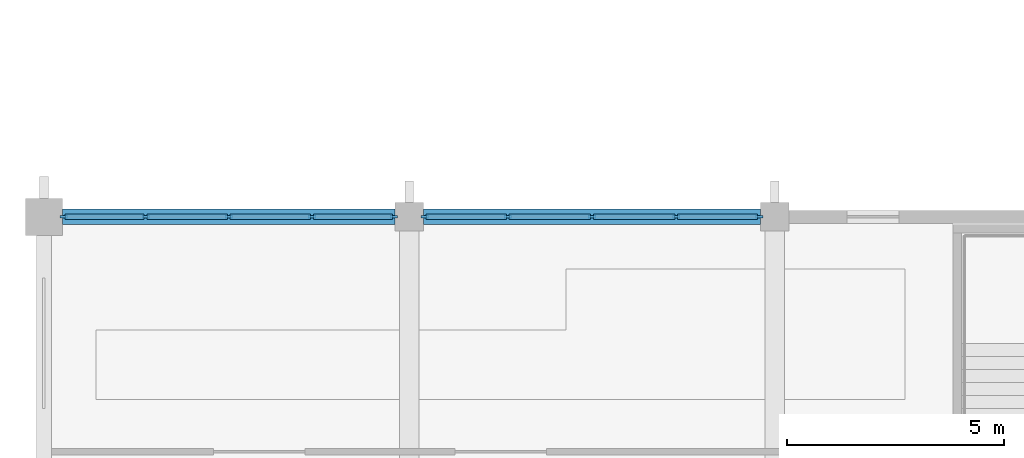
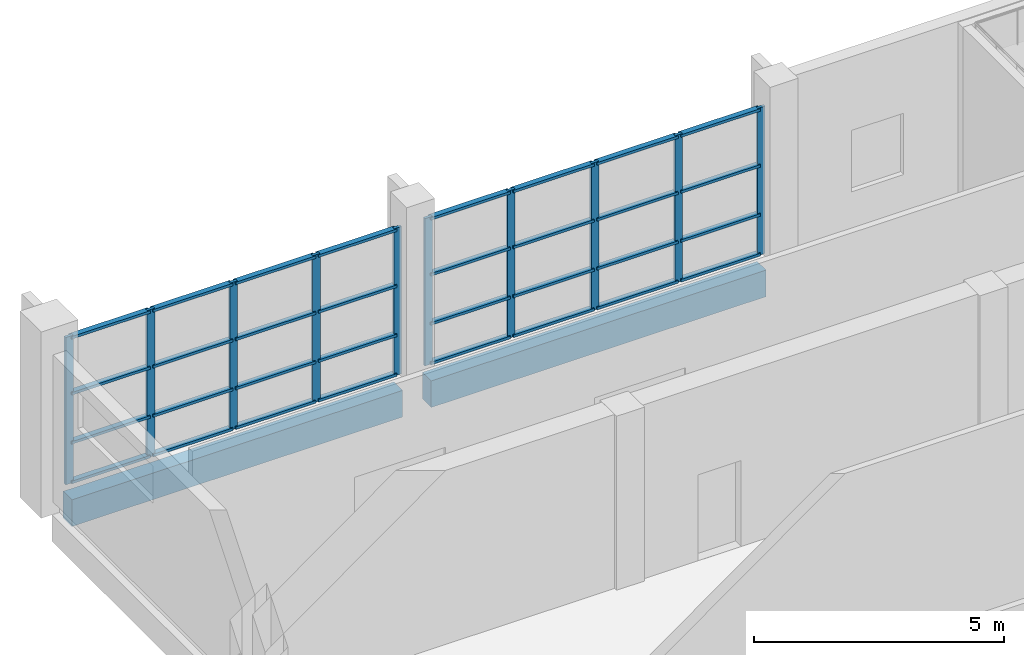
# One storey, part 2 of 64: 42 members, 2 beams, 2 elements without a shape of their own.
"""IFC4 building model written with IfcOpenShell, lengths in metres."""

from ifc_helpers import new_model, si_unit, direction, frame, origin, origin_2d, place, context, subcontext, project, spatial, rectangle, extrude, material, layer, layer_set, material_profile, profile_set, type_object, element, aggregate, save


model = new_model("IFC4")

# Units and contexts
model_context = context("Model", 3, precision=1e-05, world=origin(), true_north=direction((0.0, 1.0)))
body_context = subcontext(model_context, "Body", "Model", "MODEL_VIEW")
ifc_project = project(units=[si_unit("LENGTHUNIT", "METRE"), si_unit("AREAUNIT", "SQUARE_METRE"), si_unit("VOLUMEUNIT", "CUBIC_METRE"), si_unit("PLANEANGLEUNIT", "RADIAN"), si_unit("MASSUNIT", "GRAM", prefix="KILO")], contexts=[model_context])

# Site, building, storey
site_placement = place(None, origin())
site = spatial("IfcSite", under=ifc_project, at=site_placement, CompositionType="ELEMENT")
building_placement = place(site_placement, origin())
building = spatial("IfcBuilding", under=site, at=building_placement, Name="Rulbaag Community and Learning Centre", CompositionType="ELEMENT")
storey_placement = place(building_placement, frame((0.0, 0.0, 5.39990234375)))
storey = spatial("IfcBuildingStorey", under=building, at=storey_placement, Name="L01", CompositionType="ELEMENT", Elevation=5.39990234375)

# Beams
ifc_material_1 = material(Name="Concrete M40", Category="concrete")
ifc_material_profile_1 = material_profile(ifc_material_1, rectangle(XDim=0.35009765625, YDim=0.64990234375, at=origin_2d()), Name="RB350x650")
ifc_profile_set_1 = profile_set([ifc_material_profile_1], Name="Concrete M40")
beam_type = type_object("IfcBeamType", Name="B8 Hall wing edge beam 350x650 Concrete M40", PredefinedType="BEAM", material=ifc_profile_set_1)
beam_1_placement = place(storey_placement, frame((0.429931640625, 50.39990234375, -0.625), z_axis=(1.0, 0.0, 0.0), x_axis=(0.0, 1.0, 0.0)))
element("IfcBeam", 1, at=beam_1_placement, inside=storey, type_object=beam_type, Name="BM-L01-1G-2G", PredefinedType="BEAM", context=body_context, shape_type="SweptSolid", body=[
    extrude(rectangle(XDim=0.35009765625, YDim=0.64990234375, at=origin_2d()), origin(), (0.0, 0.0, 1.0), 7.64013671875),
])
beam_2_placement = place(storey_placement, frame((8.72998046875, 50.39990234375, -0.625), z_axis=(1.0, 0.0, 0.0), x_axis=(0.0, 1.0, 0.0)))
element("IfcBeam", 2, at=beam_2_placement, inside=storey, type_object=beam_type, Name="BM-L01-2G-3G", PredefinedType="BEAM", context=body_context, shape_type="SweptSolid", body=[
    extrude(rectangle(XDim=0.35009765625, YDim=0.64990234375, at=origin_2d()), origin(), (0.0, 0.0, 1.0), 7.739990234375),
])

# Curtain wall, members
ifc_material_2 = material(Name="Aluminium", Category="aluminium")
ifc_layer = layer(ifc_material_2, 0.14990234375)
ifc_layer_set = layer_set([ifc_layer], Name="CW-L")
curtain_wall_type = type_object("IfcCurtainWallType", Name="CW-L", PredefinedType="USERDEFINED", material=ifc_layer_set)
curtain_wall_1_placement = place(storey_placement, origin())
curtain_wall_1 = element("IfcCurtainWall", 3, at=curtain_wall_1_placement, inside=storey, type_object=curtain_wall_type, Name="GL-L01-01", ObjectType="STICK CURTAIN WALL", PredefinedType="USERDEFINED")
ifc_material_3 = material(Name="Aluminium mullion", Category="aluminium")
ifc_material_profile_2 = material_profile(ifc_material_3, rectangle(XDim=0.06494140625, YDim=0.175048828125, at=origin_2d()), Name="AL 65x175")
ifc_profile_set_2 = profile_set([ifc_material_profile_2], Name="Aluminium mullion")
member_type_1 = type_object("IfcMemberType", Name="CW-L-MUL", PredefinedType="MULLION", material=ifc_profile_set_2)
member_1_placement = place(storey_placement, frame((0.45751953125, 50.39990234375, 0.0), z_axis=(0.0, 0.0, 1.0), x_axis=(0.0, 1.0, 0.0)))
member_1 = element("IfcMember", 4, at=member_1_placement, type_object=member_type_1, Name="GL mullion 1", PredefinedType="MULLION", context=body_context, shape_type="SweptSolid", body=[
    extrude(rectangle(XDim=0.06494140625, YDim=0.175048828125, at=origin_2d()), origin(), (0.0, 0.0, 1.0), 3.60009765625),
])
member_2_placement = place(storey_placement, frame((2.33740234375, 50.39990234375, 0.0), z_axis=(0.0, 0.0, 1.0), x_axis=(0.0, 1.0, 0.0)))
member_2 = element("IfcMember", 5, at=member_2_placement, type_object=member_type_1, Name="GL mullion 2", PredefinedType="MULLION", context=body_context, shape_type="SweptSolid", body=[
    extrude(rectangle(XDim=0.06494140625, YDim=0.175048828125, at=origin_2d()), origin(), (0.0, 0.0, 1.0), 3.60009765625),
])
member_3_placement = place(storey_placement, frame((4.25, 50.39990234375, 0.0), z_axis=(0.0, 0.0, 1.0), x_axis=(0.0, 1.0, 0.0)))
member_3 = element("IfcMember", 6, at=member_3_placement, type_object=member_type_1, Name="GL mullion 3", PredefinedType="MULLION", context=body_context, shape_type="SweptSolid", body=[
    extrude(rectangle(XDim=0.06494140625, YDim=0.175048828125, at=origin_2d()), origin(), (0.0, 0.0, 1.0), 3.60009765625),
])
member_4_placement = place(storey_placement, frame((6.16259765625, 50.39990234375, 0.0), z_axis=(0.0, 0.0, 1.0), x_axis=(0.0, 1.0, 0.0)))
member_4 = element("IfcMember", 7, at=member_4_placement, type_object=member_type_1, Name="GL mullion 4", PredefinedType="MULLION", context=body_context, shape_type="SweptSolid", body=[
    extrude(rectangle(XDim=0.06494140625, YDim=0.175048828125, at=origin_2d()), origin(), (0.0, 0.0, 1.0), 3.60009765625),
])
member_5_placement = place(storey_placement, frame((8.04248046875, 50.39990234375, 0.0), z_axis=(0.0, 0.0, 1.0), x_axis=(0.0, 1.0, 0.0)))
member_5 = element("IfcMember", 8, at=member_5_placement, type_object=member_type_1, Name="GL mullion 5", PredefinedType="MULLION", context=body_context, shape_type="SweptSolid", body=[
    extrude(rectangle(XDim=0.06494140625, YDim=0.175048828125, at=origin_2d()), origin(), (0.0, 0.0, 1.0), 3.60009765625),
])

curtain_wall_2_placement = place(storey_placement, origin())
curtain_wall_2 = element("IfcCurtainWall", 9, at=curtain_wall_2_placement, inside=storey, type_object=curtain_wall_type, Name="GL-L01-02", ObjectType="STICK CURTAIN WALL", PredefinedType="USERDEFINED")
member_6_placement = place(storey_placement, frame((8.757568359375, 50.39990234375, 0.0), z_axis=(0.0, 0.0, 1.0), x_axis=(0.0, 1.0, 0.0)))
member_6 = element("IfcMember", 10, at=member_6_placement, type_object=member_type_1, Name="GL mullion 1", PredefinedType="MULLION", context=body_context, shape_type="SweptSolid", body=[
    extrude(rectangle(XDim=0.06494140625, YDim=0.175048828125, at=origin_2d()), origin(), (0.0, 0.0, 1.0), 3.60009765625),
])
member_7_placement = place(storey_placement, frame((10.66259765625, 50.39990234375, 0.0), z_axis=(0.0, 0.0, 1.0), x_axis=(0.0, 1.0, 0.0)))
member_7 = element("IfcMember", 11, at=member_7_placement, type_object=member_type_1, Name="GL mullion 2", PredefinedType="MULLION", context=body_context, shape_type="SweptSolid", body=[
    extrude(rectangle(XDim=0.06494140625, YDim=0.175048828125, at=origin_2d()), origin(), (0.0, 0.0, 1.0), 3.60009765625),
])
member_8_placement = place(storey_placement, frame((12.60009765625, 50.39990234375, 0.0), z_axis=(0.0, 0.0, 1.0), x_axis=(0.0, 1.0, 0.0)))
member_8 = element("IfcMember", 12, at=member_8_placement, type_object=member_type_1, Name="GL mullion 3", PredefinedType="MULLION", context=body_context, shape_type="SweptSolid", body=[
    extrude(rectangle(XDim=0.06494140625, YDim=0.175048828125, at=origin_2d()), origin(), (0.0, 0.0, 1.0), 3.60009765625),
])
member_9_placement = place(storey_placement, frame((14.53759765625, 50.39990234375, 0.0), z_axis=(0.0, 0.0, 1.0), x_axis=(0.0, 1.0, 0.0)))
member_9 = element("IfcMember", 13, at=member_9_placement, type_object=member_type_1, Name="GL mullion 4", PredefinedType="MULLION", context=body_context, shape_type="SweptSolid", body=[
    extrude(rectangle(XDim=0.06494140625, YDim=0.175048828125, at=origin_2d()), origin(), (0.0, 0.0, 1.0), 3.60009765625),
])
member_10_placement = place(storey_placement, frame((16.4423828125, 50.39990234375, 0.0), z_axis=(0.0, 0.0, 1.0), x_axis=(0.0, 1.0, 0.0)))
member_10 = element("IfcMember", 14, at=member_10_placement, type_object=member_type_1, Name="GL mullion 5", PredefinedType="MULLION", context=body_context, shape_type="SweptSolid", body=[
    extrude(rectangle(XDim=0.06494140625, YDim=0.175048828125, at=origin_2d()), origin(), (0.0, 0.0, 1.0), 3.60009765625),
])

# Member
ifc_material_4 = material(Name="Aluminium transom", Category="aluminium")
ifc_material_profile_3 = material_profile(ifc_material_4, rectangle(XDim=0.125, YDim=0.06494140625, at=origin_2d()), Name="AL 65x125 T")
ifc_profile_set_3 = profile_set([ifc_material_profile_3], Name="Aluminium transom")
member_type_2 = type_object("IfcMemberType", Name="CW-L-TRN", PredefinedType="USERDEFINED", material=ifc_profile_set_3)
member_11_placement = place(storey_placement, frame((0.489990234375, 50.39990234375, 0.03271484375), z_axis=(1.0, 0.0, 0.0), x_axis=(0.0, 1.0, 0.0)))
member_11 = element("IfcMember", 15, at=member_11_placement, type_object=member_type_2, Name="GL transom 1.1", ObjectType="TRANSOM", PredefinedType="USERDEFINED", context=body_context, shape_type="SweptSolid", body=[
    extrude(rectangle(XDim=0.125, YDim=0.06494140625, at=origin_2d()), origin(), (0.0, 0.0, 1.0), 1.81494140625),
])

member_12_placement = place(storey_placement, frame((0.489990234375, 50.39990234375, 1.0), z_axis=(1.0, 0.0, 0.0), x_axis=(0.0, 1.0, 0.0)))
member_12 = element("IfcMember", 16, at=member_12_placement, type_object=member_type_2, Name="GL transom 1.2", ObjectType="TRANSOM", PredefinedType="USERDEFINED", context=body_context, shape_type="SweptSolid", body=[
    extrude(rectangle(XDim=0.125, YDim=0.06494140625, at=origin_2d()), origin(), (0.0, 0.0, 1.0), 1.81494140625),
])

member_13_placement = place(storey_placement, frame((0.489990234375, 50.39990234375, 2.2001953125), z_axis=(1.0, 0.0, 0.0), x_axis=(0.0, 1.0, 0.0)))
member_13 = element("IfcMember", 17, at=member_13_placement, type_object=member_type_2, Name="GL transom 1.3", ObjectType="TRANSOM", PredefinedType="USERDEFINED", context=body_context, shape_type="SweptSolid", body=[
    extrude(rectangle(XDim=0.125, YDim=0.06494140625, at=origin_2d()), origin(), (0.0, 0.0, 1.0), 1.81494140625),
])

member_14_placement = place(storey_placement, frame((0.489990234375, 50.39990234375, 3.567626953125), z_axis=(1.0, 0.0, 0.0), x_axis=(0.0, 1.0, 0.0)))
member_14 = element("IfcMember", 18, at=member_14_placement, type_object=member_type_2, Name="GL transom 1.4", ObjectType="TRANSOM", PredefinedType="USERDEFINED", context=body_context, shape_type="SweptSolid", body=[
    extrude(rectangle(XDim=0.125, YDim=0.06494140625, at=origin_2d()), origin(), (0.0, 0.0, 1.0), 1.81494140625),
])

member_15_placement = place(storey_placement, frame((2.3701171875, 50.39990234375, 0.03271484375), z_axis=(1.0, 0.0, 0.0), x_axis=(0.0, 1.0, 0.0)))
member_15 = element("IfcMember", 19, at=member_15_placement, type_object=member_type_2, Name="GL transom 2.1", ObjectType="TRANSOM", PredefinedType="USERDEFINED", context=body_context, shape_type="SweptSolid", body=[
    extrude(rectangle(XDim=0.125, YDim=0.06494140625, at=origin_2d()), origin(), (0.0, 0.0, 1.0), 1.847412109375),
])

member_16_placement = place(storey_placement, frame((2.3701171875, 50.39990234375, 1.0), z_axis=(1.0, 0.0, 0.0), x_axis=(0.0, 1.0, 0.0)))
member_16 = element("IfcMember", 20, at=member_16_placement, type_object=member_type_2, Name="GL transom 2.2", ObjectType="TRANSOM", PredefinedType="USERDEFINED", context=body_context, shape_type="SweptSolid", body=[
    extrude(rectangle(XDim=0.125, YDim=0.06494140625, at=origin_2d()), origin(), (0.0, 0.0, 1.0), 1.847412109375),
])

member_17_placement = place(storey_placement, frame((2.3701171875, 50.39990234375, 2.2001953125), z_axis=(1.0, 0.0, 0.0), x_axis=(0.0, 1.0, 0.0)))
member_17 = element("IfcMember", 21, at=member_17_placement, type_object=member_type_2, Name="GL transom 2.3", ObjectType="TRANSOM", PredefinedType="USERDEFINED", context=body_context, shape_type="SweptSolid", body=[
    extrude(rectangle(XDim=0.125, YDim=0.06494140625, at=origin_2d()), origin(), (0.0, 0.0, 1.0), 1.847412109375),
])

member_18_placement = place(storey_placement, frame((2.3701171875, 50.39990234375, 3.567626953125), z_axis=(1.0, 0.0, 0.0), x_axis=(0.0, 1.0, 0.0)))
member_18 = element("IfcMember", 22, at=member_18_placement, type_object=member_type_2, Name="GL transom 2.4", ObjectType="TRANSOM", PredefinedType="USERDEFINED", context=body_context, shape_type="SweptSolid", body=[
    extrude(rectangle(XDim=0.125, YDim=0.06494140625, at=origin_2d()), origin(), (0.0, 0.0, 1.0), 1.847412109375),
])

member_19_placement = place(storey_placement, frame((4.282470703125, 50.39990234375, 0.03271484375), z_axis=(1.0, 0.0, 0.0), x_axis=(0.0, 1.0, 0.0)))
member_19 = element("IfcMember", 23, at=member_19_placement, type_object=member_type_2, Name="GL transom 3.1", ObjectType="TRANSOM", PredefinedType="USERDEFINED", context=body_context, shape_type="SweptSolid", body=[
    extrude(rectangle(XDim=0.125, YDim=0.06494140625, at=origin_2d()), origin(), (0.0, 0.0, 1.0), 1.847412109375),
])

member_20_placement = place(storey_placement, frame((4.282470703125, 50.39990234375, 1.0), z_axis=(1.0, 0.0, 0.0), x_axis=(0.0, 1.0, 0.0)))
member_20 = element("IfcMember", 24, at=member_20_placement, type_object=member_type_2, Name="GL transom 3.2", ObjectType="TRANSOM", PredefinedType="USERDEFINED", context=body_context, shape_type="SweptSolid", body=[
    extrude(rectangle(XDim=0.125, YDim=0.06494140625, at=origin_2d()), origin(), (0.0, 0.0, 1.0), 1.847412109375),
])

member_21_placement = place(storey_placement, frame((4.282470703125, 50.39990234375, 2.2001953125), z_axis=(1.0, 0.0, 0.0), x_axis=(0.0, 1.0, 0.0)))
member_21 = element("IfcMember", 25, at=member_21_placement, type_object=member_type_2, Name="GL transom 3.3", ObjectType="TRANSOM", PredefinedType="USERDEFINED", context=body_context, shape_type="SweptSolid", body=[
    extrude(rectangle(XDim=0.125, YDim=0.06494140625, at=origin_2d()), origin(), (0.0, 0.0, 1.0), 1.847412109375),
])

member_22_placement = place(storey_placement, frame((4.282470703125, 50.39990234375, 3.567626953125), z_axis=(1.0, 0.0, 0.0), x_axis=(0.0, 1.0, 0.0)))
member_22 = element("IfcMember", 26, at=member_22_placement, type_object=member_type_2, Name="GL transom 3.4", ObjectType="TRANSOM", PredefinedType="USERDEFINED", context=body_context, shape_type="SweptSolid", body=[
    extrude(rectangle(XDim=0.125, YDim=0.06494140625, at=origin_2d()), origin(), (0.0, 0.0, 1.0), 1.847412109375),
])

member_23_placement = place(storey_placement, frame((6.195068359375, 50.39990234375, 0.03271484375), z_axis=(1.0, 0.0, 0.0), x_axis=(0.0, 1.0, 0.0)))
member_23 = element("IfcMember", 27, at=member_23_placement, type_object=member_type_2, Name="GL transom 4.1", ObjectType="TRANSOM", PredefinedType="USERDEFINED", context=body_context, shape_type="SweptSolid", body=[
    extrude(rectangle(XDim=0.125, YDim=0.06494140625, at=origin_2d()), origin(), (0.0, 0.0, 1.0), 1.81494140625),
])

member_24_placement = place(storey_placement, frame((6.195068359375, 50.39990234375, 1.0), z_axis=(1.0, 0.0, 0.0), x_axis=(0.0, 1.0, 0.0)))
member_24 = element("IfcMember", 28, at=member_24_placement, type_object=member_type_2, Name="GL transom 4.2", ObjectType="TRANSOM", PredefinedType="USERDEFINED", context=body_context, shape_type="SweptSolid", body=[
    extrude(rectangle(XDim=0.125, YDim=0.06494140625, at=origin_2d()), origin(), (0.0, 0.0, 1.0), 1.81494140625),
])

member_25_placement = place(storey_placement, frame((6.195068359375, 50.39990234375, 2.2001953125), z_axis=(1.0, 0.0, 0.0), x_axis=(0.0, 1.0, 0.0)))
member_25 = element("IfcMember", 29, at=member_25_placement, type_object=member_type_2, Name="GL transom 4.3", ObjectType="TRANSOM", PredefinedType="USERDEFINED", context=body_context, shape_type="SweptSolid", body=[
    extrude(rectangle(XDim=0.125, YDim=0.06494140625, at=origin_2d()), origin(), (0.0, 0.0, 1.0), 1.81494140625),
])

member_26_placement = place(storey_placement, frame((6.195068359375, 50.39990234375, 3.567626953125), z_axis=(1.0, 0.0, 0.0), x_axis=(0.0, 1.0, 0.0)))
member_26 = element("IfcMember", 30, at=member_26_placement, type_object=member_type_2, Name="GL transom 4.4", ObjectType="TRANSOM", PredefinedType="USERDEFINED", context=body_context, shape_type="SweptSolid", body=[
    extrude(rectangle(XDim=0.125, YDim=0.06494140625, at=origin_2d()), origin(), (0.0, 0.0, 1.0), 1.81494140625),
])

aggregate(curtain_wall_1, [member_1, member_2, member_3, member_4, member_5, member_11, member_12, member_13, member_14, member_15, member_16, member_17, member_18, member_19, member_20, member_21, member_22, member_23, member_24, member_25, member_26])

member_27_placement = place(storey_placement, frame((8.7900390625, 50.39990234375, 0.03271484375), z_axis=(1.0, 0.0, 0.0), x_axis=(0.0, 1.0, 0.0)))
member_27 = element("IfcMember", 31, at=member_27_placement, type_object=member_type_2, Name="GL transom 1.1", ObjectType="TRANSOM", PredefinedType="USERDEFINED", context=body_context, shape_type="SweptSolid", body=[
    extrude(rectangle(XDim=0.125, YDim=0.06494140625, at=origin_2d()), origin(), (0.0, 0.0, 1.0), 1.83984375),
])

member_28_placement = place(storey_placement, frame((8.7900390625, 50.39990234375, 1.0), z_axis=(1.0, 0.0, 0.0), x_axis=(0.0, 1.0, 0.0)))
member_28 = element("IfcMember", 32, at=member_28_placement, type_object=member_type_2, Name="GL transom 1.2", ObjectType="TRANSOM", PredefinedType="USERDEFINED", context=body_context, shape_type="SweptSolid", body=[
    extrude(rectangle(XDim=0.125, YDim=0.06494140625, at=origin_2d()), origin(), (0.0, 0.0, 1.0), 1.83984375),
])

member_29_placement = place(storey_placement, frame((8.7900390625, 50.39990234375, 2.2001953125), z_axis=(1.0, 0.0, 0.0), x_axis=(0.0, 1.0, 0.0)))
member_29 = element("IfcMember", 33, at=member_29_placement, type_object=member_type_2, Name="GL transom 1.3", ObjectType="TRANSOM", PredefinedType="USERDEFINED", context=body_context, shape_type="SweptSolid", body=[
    extrude(rectangle(XDim=0.125, YDim=0.06494140625, at=origin_2d()), origin(), (0.0, 0.0, 1.0), 1.83984375),
])

member_30_placement = place(storey_placement, frame((8.7900390625, 50.39990234375, 3.567626953125), z_axis=(1.0, 0.0, 0.0), x_axis=(0.0, 1.0, 0.0)))
member_30 = element("IfcMember", 34, at=member_30_placement, type_object=member_type_2, Name="GL transom 1.4", ObjectType="TRANSOM", PredefinedType="USERDEFINED", context=body_context, shape_type="SweptSolid", body=[
    extrude(rectangle(XDim=0.125, YDim=0.06494140625, at=origin_2d()), origin(), (0.0, 0.0, 1.0), 1.83984375),
])

member_31_placement = place(storey_placement, frame((10.695068359375, 50.39990234375, 0.03271484375), z_axis=(1.0, 0.0, 0.0), x_axis=(0.0, 1.0, 0.0)))
member_31 = element("IfcMember", 35, at=member_31_placement, type_object=member_type_2, Name="GL transom 2.1", ObjectType="TRANSOM", PredefinedType="USERDEFINED", context=body_context, shape_type="SweptSolid", body=[
    extrude(rectangle(XDim=0.125, YDim=0.06494140625, at=origin_2d()), origin(), (0.0, 0.0, 1.0), 1.872314453125),
])

member_32_placement = place(storey_placement, frame((10.695068359375, 50.39990234375, 1.0), z_axis=(1.0, 0.0, 0.0), x_axis=(0.0, 1.0, 0.0)))
member_32 = element("IfcMember", 36, at=member_32_placement, type_object=member_type_2, Name="GL transom 2.2", ObjectType="TRANSOM", PredefinedType="USERDEFINED", context=body_context, shape_type="SweptSolid", body=[
    extrude(rectangle(XDim=0.125, YDim=0.06494140625, at=origin_2d()), origin(), (0.0, 0.0, 1.0), 1.872314453125),
])

member_33_placement = place(storey_placement, frame((10.695068359375, 50.39990234375, 2.2001953125), z_axis=(1.0, 0.0, 0.0), x_axis=(0.0, 1.0, 0.0)))
member_33 = element("IfcMember", 37, at=member_33_placement, type_object=member_type_2, Name="GL transom 2.3", ObjectType="TRANSOM", PredefinedType="USERDEFINED", context=body_context, shape_type="SweptSolid", body=[
    extrude(rectangle(XDim=0.125, YDim=0.06494140625, at=origin_2d()), origin(), (0.0, 0.0, 1.0), 1.872314453125),
])

member_34_placement = place(storey_placement, frame((10.695068359375, 50.39990234375, 3.567626953125), z_axis=(1.0, 0.0, 0.0), x_axis=(0.0, 1.0, 0.0)))
member_34 = element("IfcMember", 38, at=member_34_placement, type_object=member_type_2, Name="GL transom 2.4", ObjectType="TRANSOM", PredefinedType="USERDEFINED", context=body_context, shape_type="SweptSolid", body=[
    extrude(rectangle(XDim=0.125, YDim=0.06494140625, at=origin_2d()), origin(), (0.0, 0.0, 1.0), 1.872314453125),
])

member_35_placement = place(storey_placement, frame((12.632568359375, 50.39990234375, 0.03271484375), z_axis=(1.0, 0.0, 0.0), x_axis=(0.0, 1.0, 0.0)))
member_35 = element("IfcMember", 39, at=member_35_placement, type_object=member_type_2, Name="GL transom 3.1", ObjectType="TRANSOM", PredefinedType="USERDEFINED", context=body_context, shape_type="SweptSolid", body=[
    extrude(rectangle(XDim=0.125, YDim=0.06494140625, at=origin_2d()), origin(), (0.0, 0.0, 1.0), 1.872314453125),
])

member_36_placement = place(storey_placement, frame((12.632568359375, 50.39990234375, 1.0), z_axis=(1.0, 0.0, 0.0), x_axis=(0.0, 1.0, 0.0)))
member_36 = element("IfcMember", 40, at=member_36_placement, type_object=member_type_2, Name="GL transom 3.2", ObjectType="TRANSOM", PredefinedType="USERDEFINED", context=body_context, shape_type="SweptSolid", body=[
    extrude(rectangle(XDim=0.125, YDim=0.06494140625, at=origin_2d()), origin(), (0.0, 0.0, 1.0), 1.872314453125),
])

member_37_placement = place(storey_placement, frame((12.632568359375, 50.39990234375, 2.2001953125), z_axis=(1.0, 0.0, 0.0), x_axis=(0.0, 1.0, 0.0)))
member_37 = element("IfcMember", 41, at=member_37_placement, type_object=member_type_2, Name="GL transom 3.3", ObjectType="TRANSOM", PredefinedType="USERDEFINED", context=body_context, shape_type="SweptSolid", body=[
    extrude(rectangle(XDim=0.125, YDim=0.06494140625, at=origin_2d()), origin(), (0.0, 0.0, 1.0), 1.872314453125),
])

member_38_placement = place(storey_placement, frame((12.632568359375, 50.39990234375, 3.567626953125), z_axis=(1.0, 0.0, 0.0), x_axis=(0.0, 1.0, 0.0)))
member_38 = element("IfcMember", 42, at=member_38_placement, type_object=member_type_2, Name="GL transom 3.4", ObjectType="TRANSOM", PredefinedType="USERDEFINED", context=body_context, shape_type="SweptSolid", body=[
    extrude(rectangle(XDim=0.125, YDim=0.06494140625, at=origin_2d()), origin(), (0.0, 0.0, 1.0), 1.872314453125),
])

member_39_placement = place(storey_placement, frame((14.570068359375, 50.39990234375, 0.03271484375), z_axis=(1.0, 0.0, 0.0), x_axis=(0.0, 1.0, 0.0)))
member_39 = element("IfcMember", 43, at=member_39_placement, type_object=member_type_2, Name="GL transom 4.1", ObjectType="TRANSOM", PredefinedType="USERDEFINED", context=body_context, shape_type="SweptSolid", body=[
    extrude(rectangle(XDim=0.125, YDim=0.06494140625, at=origin_2d()), origin(), (0.0, 0.0, 1.0), 1.83984375),
])

member_40_placement = place(storey_placement, frame((14.570068359375, 50.39990234375, 1.0), z_axis=(1.0, 0.0, 0.0), x_axis=(0.0, 1.0, 0.0)))
member_40 = element("IfcMember", 44, at=member_40_placement, type_object=member_type_2, Name="GL transom 4.2", ObjectType="TRANSOM", PredefinedType="USERDEFINED", context=body_context, shape_type="SweptSolid", body=[
    extrude(rectangle(XDim=0.125, YDim=0.06494140625, at=origin_2d()), origin(), (0.0, 0.0, 1.0), 1.83984375),
])

member_41_placement = place(storey_placement, frame((14.570068359375, 50.39990234375, 2.2001953125), z_axis=(1.0, 0.0, 0.0), x_axis=(0.0, 1.0, 0.0)))
member_41 = element("IfcMember", 45, at=member_41_placement, type_object=member_type_2, Name="GL transom 4.3", ObjectType="TRANSOM", PredefinedType="USERDEFINED", context=body_context, shape_type="SweptSolid", body=[
    extrude(rectangle(XDim=0.125, YDim=0.06494140625, at=origin_2d()), origin(), (0.0, 0.0, 1.0), 1.83984375),
])

member_42_placement = place(storey_placement, frame((14.570068359375, 50.39990234375, 3.567626953125), z_axis=(1.0, 0.0, 0.0), x_axis=(0.0, 1.0, 0.0)))
member_42 = element("IfcMember", 46, at=member_42_placement, type_object=member_type_2, Name="GL transom 4.4", ObjectType="TRANSOM", PredefinedType="USERDEFINED", context=body_context, shape_type="SweptSolid", body=[
    extrude(rectangle(XDim=0.125, YDim=0.06494140625, at=origin_2d()), origin(), (0.0, 0.0, 1.0), 1.83984375),
])

aggregate(curtain_wall_2, [member_6, member_7, member_8, member_9, member_10, member_27, member_28, member_29, member_30, member_31, member_32, member_33, member_34, member_35, member_36, member_37, member_38, member_39, member_40, member_41, member_42])

save(model, "model.ifc")
